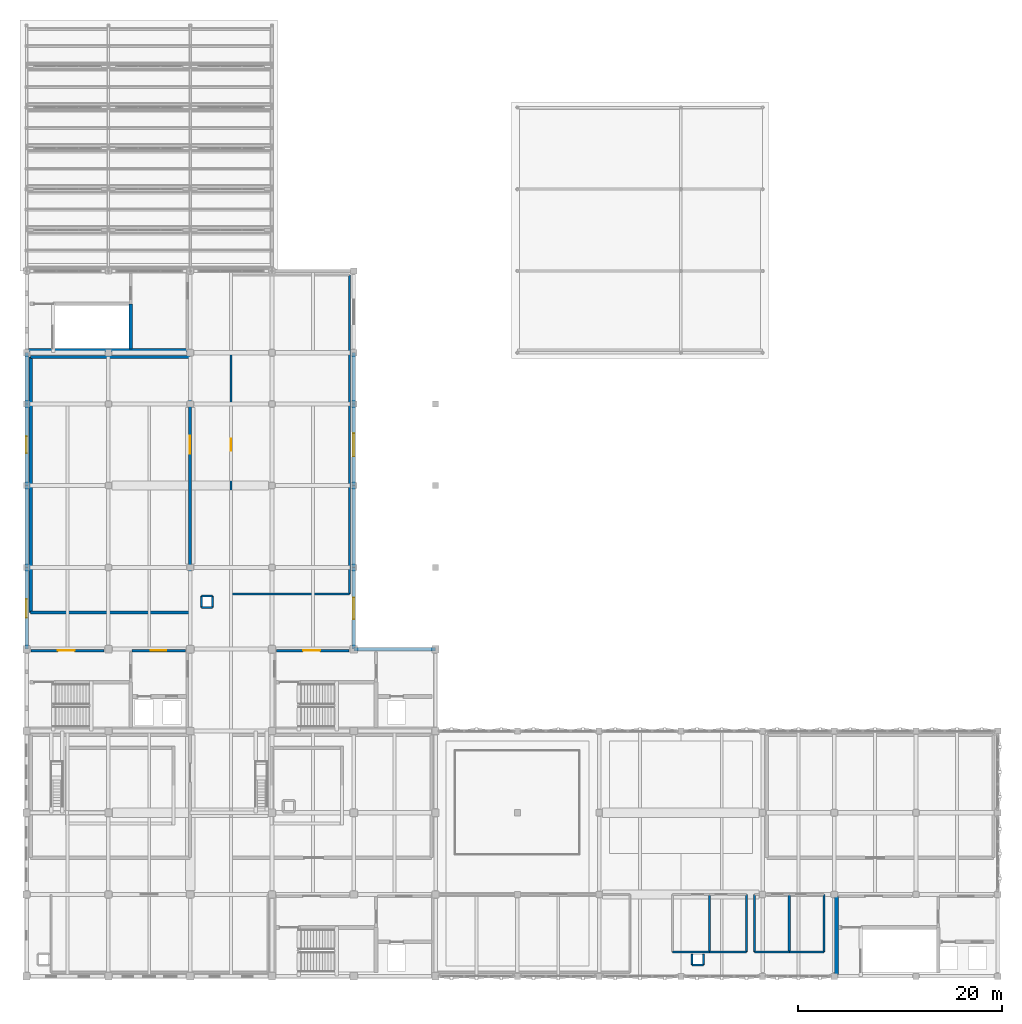
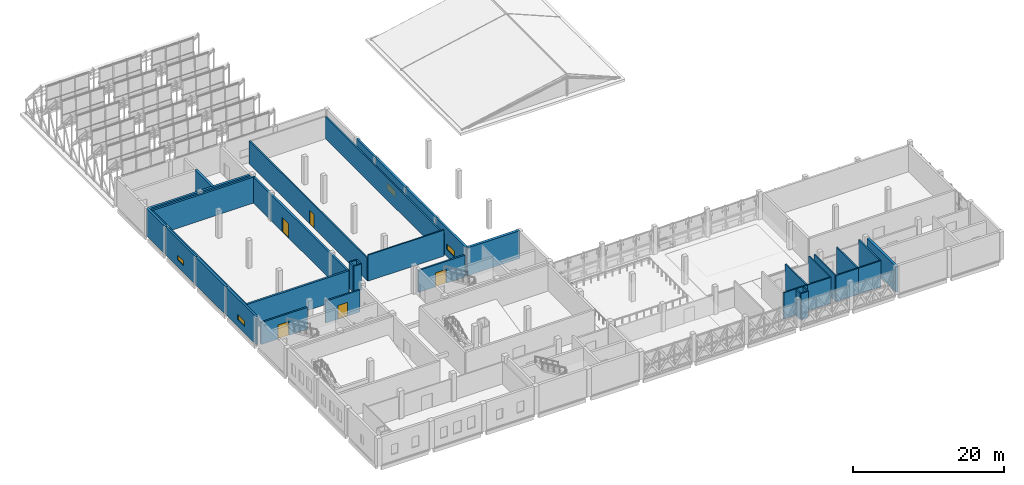
# One storey, part 37 of 43: 38 walls, 5 doors, 4 windows, 9 openings.
"""IFC4 building model written with IfcOpenShell, lengths in metres."""

import ifcopenshell
import ifcopenshell.guid

model = None  # the IFC model being written
_history = None  # IfcOwnerHistory: only IFC2X3 demands one
_inside = {}  # id of a spatial element -> (the spatial element, [elements in it])
_under = {}  # id of a project, library or spatial element -> (it, [spatial elements below it])
_declared = {}  # id of a project -> (the project, [libraries it declares])
_typed = {}  # id of a type object -> (the type object, [elements of that type])
_made_of = {}  # id of a material, layer set ... -> (it, [elements and type objects made of it])


def new_model(schema):
    """Start an empty IFC model of exactly this schema.

    Asked for "IFC4X3", IfcOpenShell would pick the latest addendum, in which some entities
    have other attributes; the version numbers below select the first issue.
    IFC2X3 requires an IfcOwnerHistory on every rooted entity: one is made here for all.
    """
    global model, _history
    if schema == "IFC4X3":
        model = ifcopenshell.file(schema_version=(4, 3, 0, 0))
    else:
        model = ifcopenshell.file(schema=schema)
    _inside.clear()
    _under.clear()
    _declared.clear()
    _typed.clear()
    _made_of.clear()
    _history = None
    if model.schema == "IFC2X3":
        org = make("IfcOrganization", Name="unknown")
        user = make(
            "IfcPersonAndOrganization",
            ThePerson=make("IfcPerson", FamilyName="unknown"),
            TheOrganization=org,
        )
        app = make(
            "IfcApplication",
            ApplicationDeveloper=org,
            Version="unknown",
            ApplicationFullName="unknown",
            ApplicationIdentifier="unknown",
        )
        _history = make(
            "IfcOwnerHistory",
            OwningUser=user,
            OwningApplication=app,
            ChangeAction="ADDED",
            CreationDate=0,
        )
    return model


def make(cls, **values):
    """One entity of the class cls with the attributes given. An attribute that is None is left unset."""
    return model.create_entity(
        cls, **{name: value for name, value in values.items() if value is not None}
    )


def rooted(cls, **values):
    """An entity with a GlobalId (a new one), such as an element, a storey or a relation."""
    return make(cls, GlobalId=ifcopenshell.guid.new(), OwnerHistory=_history, **values)


def si_unit(unit_type, name, prefix=None):
    """IfcSIUnit, for example si_unit("LENGTHUNIT", "METRE", prefix="MILLI")."""
    return make("IfcSIUnit", UnitType=unit_type, Prefix=prefix, Name=name)


def assignment(units):
    """IfcUnitAssignment: the units of a project."""
    return None if units is None else make("IfcUnitAssignment", Units=units)


def point(xyz):
    """IfcCartesianPoint."""
    return None if xyz is None else make("IfcCartesianPoint", Coordinates=xyz)


def direction(xyz):
    """IfcDirection."""
    return None if xyz is None else make("IfcDirection", DirectionRatios=xyz)


def frame(location, z_axis=None, x_axis=None):
    """IfcAxis2Placement3D, a coordinate frame: its origin and axes. An axis left out is left unset."""
    return make(
        "IfcAxis2Placement3D",
        Location=point(location),
        Axis=direction(z_axis),
        RefDirection=direction(x_axis),
    )


def frame_2d(location, x_axis=None):
    """IfcAxis2Placement2D, a coordinate frame in the plane: its origin and x axis."""
    return make(
        "IfcAxis2Placement2D", Location=point(location), RefDirection=direction(x_axis)
    )


def origin():
    """The frame at (0, 0, 0) with its axes left unset."""
    return frame((0.0, 0.0, 0.0))


def place(relative_to, where):
    """IfcLocalPlacement: puts the frame where relative to a parent placement (None: the world)."""
    return make(
        "IfcLocalPlacement", PlacementRelTo=relative_to, RelativePlacement=where
    )


def context(
    kind, dimensions, precision=None, world=None, true_north=None, identifier=None
):
    """IfcGeometricRepresentationContext, for example the 3D "Model" context."""
    return make(
        "IfcGeometricRepresentationContext",
        ContextIdentifier=identifier,
        ContextType=kind,
        CoordinateSpaceDimension=dimensions,
        Precision=precision,
        WorldCoordinateSystem=world,
        TrueNorth=true_north,
    )


def subcontext(parent, identifier, kind, view, scale=None):
    """IfcGeometricRepresentationSubContext, for example "Body" below "Model"."""
    return make(
        "IfcGeometricRepresentationSubContext",
        ContextIdentifier=identifier,
        ContextType=kind,
        ParentContext=parent,
        TargetScale=scale,
        TargetView=view,
    )


def project(units=None, contexts=None):
    """IfcProject with its units and contexts."""
    return rooted(
        "IfcProject",
        Name="project",
        RepresentationContexts=contexts,
        UnitsInContext=assignment(units),
    )


def spatial(cls, under=None, at=None, **own):
    """A site, building, storey or space (cls), placed at a placement, below another one or the project."""
    s = rooted(cls, ObjectPlacement=at, **own)
    if under is not None:
        _under.setdefault(under.id(), (under, []))[1].append(s)
    return s


def profile(cls, at=None, kind="AREA", **sizes):
    """A parametric profile (cls). Its sizes go by their IFC names, for example OverallWidth=200.0."""
    return make(cls, ProfileType=kind, Position=at, **sizes)


def rectangle(**sizes):
    """IfcRectangleProfileDef."""
    return profile("IfcRectangleProfileDef", **sizes)


def extrude(swept, where, along, depth):
    """IfcExtrudedAreaSolid: the profile swept, set in the frame where, extruded along a direction by depth."""
    return make(
        "IfcExtrudedAreaSolid",
        SweptArea=swept,
        Position=where,
        ExtrudedDirection=direction(along),
        Depth=depth,
    )


def shape(context_of_items, identifier, shape_type, items):
    """IfcShapeRepresentation: the items that make up one representation, for example the "Body"."""
    return make(
        "IfcShapeRepresentation",
        ContextOfItems=context_of_items,
        RepresentationIdentifier=identifier,
        RepresentationType=shape_type,
        Items=items,
    )


def material(Name=None, Category=None):
    """IfcMaterial."""
    return make("IfcMaterial", Name=Name, Category=Category)


def layer(
    of_material, thickness, ventilated=None, Name=None, Category=None, Priority=None
):
    """IfcMaterialLayer: one layer of a wall or slab, of a material (None: an air gap)."""
    return make(
        "IfcMaterialLayer",
        Material=of_material,
        LayerThickness=thickness,
        IsVentilated=ventilated,
        Name=Name,
        Category=Category,
        Priority=Priority,
    )


def layer_set(layers, Name=None):
    """IfcMaterialLayerSet."""
    return make("IfcMaterialLayerSet", MaterialLayers=layers, LayerSetName=Name)


def made_of(thing, what):
    """Note that an element or type object is made of a material, layer set ...; save() writes the relation."""
    if what is not None:
        _made_of.setdefault(what.id(), (what, []))[1].append(thing)
    return thing


def type_object(cls, material=None, **own):
    """A type object (cls), such as IfcWallType, which elements share."""
    return made_of(rooted(cls, **own), material)


def element(
    cls,
    number,
    at=None,
    inside=None,
    cuts=None,
    type_object=None,
    material=None,
    context=None,
    identifier="Body",
    shape_type=None,
    held_by="IfcProductDefinitionShape",
    body=None,
    shapes=None,
    **own,
):
    """One element of the class cls, such as IfcWall. Its Tag is "e" and its number.

    at: its placement. inside: the storey or other place that contains it. cuts: it is an
    opening in that element (IfcRelVoidsElement). A single representation is given by context,
    identifier, shape_type and body (its items); several are given by shapes. held_by: the class
    of the entity that holds the representations. save() writes the other relations.
    """
    e = rooted(cls, Tag="e%d" % number, ObjectPlacement=at, **own)
    if body is not None:
        shapes = [shape(context, identifier, shape_type, body)]
    if shapes is not None:
        e.Representation = make(held_by, Representations=shapes)
    if inside is not None:
        _inside.setdefault(inside.id(), (inside, []))[1].append(e)
    if cuts is not None:
        rooted(
            "IfcRelVoidsElement", RelatingBuildingElement=cuts, RelatedOpeningElement=e
        )
    if type_object is not None:
        _typed.setdefault(type_object.id(), (type_object, []))[1].append(e)
    return made_of(e, material)


def fill(opening, filler):
    """IfcRelFillsElement: the door or window that sits in an opening."""
    return rooted(
        "IfcRelFillsElement",
        RelatingOpeningElement=opening,
        RelatedBuildingElement=filler,
    )


def aggregate(whole, parts):
    """IfcRelAggregates: a whole, such as a stair, and the parts it consists of."""
    return rooted("IfcRelAggregates", RelatingObject=whole, RelatedObjects=parts)


def save(model, path):
    """Write the relations noted so far, then the file.

    IfcRelAggregates (storeys below a building ...), IfcRelContainedInSpatialStructure (elements
    in a storey), IfcRelDefinesByType, IfcRelAssociatesMaterial and IfcRelDeclares: one each for
    every whole, place, type object, material and project.
    """
    for whole, parts in _under.values():
        aggregate(whole, parts)
    for where, things in _inside.values():
        rooted(
            "IfcRelContainedInSpatialStructure",
            RelatedElements=things,
            RelatingStructure=where,
        )
    for kind, things in _typed.values():
        rooted("IfcRelDefinesByType", RelatedObjects=things, RelatingType=kind)
    for what, things in _made_of.values():
        rooted("IfcRelAssociatesMaterial", RelatedObjects=things, RelatingMaterial=what)
    for by, libraries in _declared.values():
        rooted("IfcRelDeclares", RelatingContext=by, RelatedDefinitions=libraries)
    model.write(path)


model = new_model("IFC4")

# Units and contexts
model_context = context("Model", 3, precision=1e-05, world=origin(), true_north=direction((0.0, 1.0)))
body_context = subcontext(model_context, "Body", "Model", "MODEL_VIEW")
ifc_project = project(units=[si_unit("LENGTHUNIT", "METRE"), si_unit("AREAUNIT", "SQUARE_METRE"), si_unit("VOLUMEUNIT", "CUBIC_METRE"), si_unit("PLANEANGLEUNIT", "RADIAN"), si_unit("MASSUNIT", "GRAM", prefix="KILO")], contexts=[model_context])

# Site, building, storey
site_placement = place(None, origin())
site = spatial("IfcSite", under=ifc_project, at=site_placement, CompositionType="ELEMENT")
building_placement = place(site_placement, origin())
building = spatial("IfcBuilding", under=site, at=building_placement, Name="Qorikala Patio Media Centre", CompositionType="ELEMENT")
storey_placement = place(building_placement, frame((0.0, 0.0, 18.89990234375)))
storey = spatial("IfcBuildingStorey", under=building, at=storey_placement, Name="L04", CompositionType="ELEMENT", Elevation=18.89990234375)

# Wall
ifc_material_1 = material(Name="Concrete C35/45", Category="concrete")
ifc_layer_1 = layer(ifc_material_1, 0.300048828125)
ifc_layer_set_1 = layer_set([ifc_layer_1], Name="Concrete C35/45")
wall_type_1 = type_object("IfcWallType", Name="WL-AC-300", PredefinedType="SHEAR", material=ifc_layer_set_1)
wall_1_placement = place(storey_placement, frame((3.39990234375, 38.60009765625, 0.0), z_axis=(0.0, 0.0, 1.0), x_axis=(1.0, 0.0, 0.0)))
element("IfcWall", 1, at=wall_1_placement, inside=storey, type_object=wall_type_1, Name="L04 Interior Wall WINT-L04-MIX5-S", PredefinedType="SHEAR", context=body_context, shape_type="SweptSolid", body=[
    extrude(rectangle(XDim=15.60009765625, YDim=0.300048828125, at=frame_2d((7.800048828125, 0.0))), origin(), (0.0, 0.0, 1.0), 4.2001953125),
])

# Wall, opening, door
wall_2_placement = place(storey_placement, frame((19.0, 38.60009765625, 0.0), z_axis=(0.0, 0.0, 1.0), x_axis=(0.0, 1.0, 0.0)))
wall_2 = element("IfcWall", 2, at=wall_2_placement, inside=storey, type_object=wall_type_1, Name="L04 Interior Wall WINT-L04-MIX5-E", PredefinedType="SHEAR", context=body_context, shape_type="SweptSolid", body=[
    extrude(rectangle(XDim=25.0, YDim=0.300048828125, at=frame_2d((12.5, 0.0))), origin(), (0.0, 0.0, 1.0), 4.2001953125),
])
opening_1_placement = place(wall_2_placement, frame((15.533935546875, 0.0, 0.0)))
opening_1 = element("IfcOpeningElement", 3, at=opening_1_placement, cuts=wall_2, Name="Opening D310", PredefinedType="OPENING", context=body_context, shape_type="SweptSolid", body=[
    extrude(rectangle(XDim=1.75, YDim=2.280029296875, at=frame_2d((0.875, 1.14013671875))), frame((0.0, 0.159912109375, 0.0), z_axis=(0.0, -1.0, 0.0), x_axis=(1.0, 0.0, 0.0)), (0.0, 0.0, 1.0), 0.320068359375),
])
ifc_material_2 = material(Name="Powder-Coated Acoustic Fire Steel", Category="steel")
door_type_1 = type_object("IfcDoorType", Name="DR-FD60-175X228", OperationType="DOUBLE_DOOR_SINGLE_SWING", PredefinedType="DOOR", material=ifc_material_2)
door_1_placement = place(opening_1_placement, origin())
door_1 = element("IfcDoor", 4, at=door_1_placement, inside=storey, type_object=door_type_1, Name="Dolby Atmos Dubbing and Soundtrack Mixing Stage Door 099", OperationType="DOUBLE_DOOR_SINGLE_SWING", OverallHeight=2.280029296875, OverallWidth=1.75, PredefinedType="DOOR", context=body_context, shape_type="SweptSolid", body=[
    extrude(rectangle(XDim=1.75, YDim=2.280029296875, at=frame_2d((0.875, 1.14013671875))), frame((0.0, 0.02490234375, 0.0), z_axis=(0.0, -1.0, 0.0), x_axis=(1.0, 0.0, 0.0)), (0.0, 0.0, 1.0), 0.050048828125),
])
fill(opening_1, door_1)

# Walls
wall_3_placement = place(storey_placement, frame((3.39990234375, 63.60009765625, 0.0), z_axis=(0.0, 0.0, 1.0), x_axis=(1.0, 0.0, 0.0)))
element("IfcWall", 5, at=wall_3_placement, inside=storey, type_object=wall_type_1, Name="L04 Interior Wall WINT-L04-MIX5-N", PredefinedType="SHEAR", context=body_context, shape_type="SweptSolid", body=[
    extrude(rectangle(XDim=15.60009765625, YDim=0.300048828125, at=frame_2d((7.800048828125, 0.0))), origin(), (0.0, 0.0, 1.0), 4.2001953125),
])
wall_4_placement = place(storey_placement, frame((3.39990234375, 38.60009765625, 0.0), z_axis=(0.0, 0.0, 1.0), x_axis=(0.0, 1.0, 0.0)))
element("IfcWall", 6, at=wall_4_placement, inside=storey, type_object=wall_type_1, Name="L04 Interior Wall WINT-L04-MIX5-W", PredefinedType="SHEAR", context=body_context, shape_type="SweptSolid", body=[
    extrude(rectangle(XDim=25.0, YDim=0.300048828125, at=frame_2d((12.5, 0.0))), origin(), (0.0, 0.0, 1.0), 4.2001953125),
])
ifc_layer_2 = layer(ifc_material_1, 0.35009765625)
ifc_layer_set_2 = layer_set([ifc_layer_2], Name="Concrete C35/45")
wall_type_2 = type_object("IfcWallType", Name="WL-CORE-350", PredefinedType="SHEAR", material=ifc_layer_set_2)
wall_5_placement = place(storey_placement, frame((3.199951171875, 64.22509765625, 0.0), z_axis=(0.0, 0.0, 1.0), x_axis=(1.0, 0.0, 0.0)))
element("IfcWall", 7, at=wall_5_placement, inside=storey, type_object=wall_type_2, Name="L04 Core C3 Stair South Wall", PredefinedType="SHEAR", context=body_context, shape_type="SweptSolid", body=[
    extrude(rectangle(XDim=15.60009765625, YDim=0.35009765625, at=frame_2d((7.800048828125, 0.0))), origin(), (0.0, 0.0, 1.0), 4.2001953125),
])
wall_6_placement = place(storey_placement, frame((13.175048828125, 64.35009765625, 0.0), z_axis=(0.0, 0.0, 1.0), x_axis=(0.0, 1.0, 0.0)))
element("IfcWall", 8, at=wall_6_placement, inside=storey, type_object=wall_type_2, Name="L04 Interior Wall CW-L04-C3-SE", PredefinedType="SHEAR", context=body_context, shape_type="SweptSolid", body=[
    extrude(rectangle(XDim=4.4248046875, YDim=0.35009765625, at=frame_2d((2.21240234375, 0.0))), origin(), (0.0, 0.0, 1.0), 4.2001953125),
])
wall_7_placement = place(storey_placement, frame((82.22509765625, 3.199951171875, 0.0), z_axis=(0.0, 0.0, 1.0), x_axis=(0.0, 1.0, 0.0)))
element("IfcWall", 9, at=wall_7_placement, inside=storey, type_object=wall_type_2, Name="L04 Interior Wall CW-L04-C4-SW", PredefinedType="SHEAR", context=body_context, shape_type="SweptSolid", body=[
    extrude(rectangle(XDim=7.60009765625, YDim=0.35009765625, at=frame_2d((3.800048828125, 0.0))), origin(), (0.0, 0.0, 1.0), 4.2001953125),
])

# Wall, opening, window
ifc_material_3 = material(Name="Ivory Lime Stucco and Concrete C35/45", Category="concrete")
ifc_layer_3 = layer(ifc_material_3, 0.320068359375)
ifc_layer_set_3 = layer_set([ifc_layer_3], Name="Ivory Lime Stucco and Concrete C35/45")
wall_type_3 = type_object("IfcWallType", Name="WL-EXT-320", PredefinedType="SOLIDWALL", material=ifc_layer_set_3)
wall_8_placement = place(storey_placement, frame((3.0, 35.0, 0.0), z_axis=(0.0, 0.0, 1.0), x_axis=(0.0, 1.0, 0.0)))
wall_8 = element("IfcWall", 10, at=wall_8_placement, inside=storey, type_object=wall_type_3, Name="L04 Exterior Wall WL-L04-EXT-0021", PredefinedType="SOLIDWALL", context=body_context, shape_type="SweptSolid", body=[
    extrude(rectangle(XDim=8.0, YDim=0.320068359375, at=frame_2d((4.0, 0.0))), origin(), (0.0, 0.0, 1.0), 4.5),
])
opening_2_placement = place(wall_8_placement, frame((3.10009765625, 0.0, 1.10009765625)))
opening_2 = element("IfcOpeningElement", 11, at=opening_2_placement, cuts=wall_8, Name="Opening WL-180", PredefinedType="OPENING", context=body_context, shape_type="SweptSolid", body=[
    extrude(rectangle(XDim=1.800048828125, YDim=0.85009765625, at=frame_2d((0.89990234375, 0.425048828125))), frame((0.0, 0.169921875, 0.0), z_axis=(0.0, -1.0, 0.0), x_axis=(1.0, 0.0, 0.0)), (0.0, 0.0, 1.0), 0.340087890625),
])
ifc_material_4 = material(Name="Acoustic Laminated Low-E Glass", Category="glass")
window_type_1 = type_object("IfcWindowType", Name="WN-CL-180X085", PartitioningType="SINGLE_PANEL", PredefinedType="WINDOW", material=ifc_material_4)
window_1_placement = place(opening_2_placement, origin())
window_1 = element("IfcWindow", 12, at=window_1_placement, inside=storey, type_object=window_type_1, Name="L04 High Acoustic Clerestory Window 0230", OverallHeight=0.85009765625, OverallWidth=1.800048828125, PartitioningType="SINGLE_PANEL", PredefinedType="WINDOW", context=body_context, shape_type="SweptSolid", body=[
    extrude(rectangle(XDim=1.800048828125, YDim=0.85009765625, at=frame_2d((0.89990234375, 0.425048828125))), frame((0.0, 0.030029296875, 0.0), z_axis=(0.0, -1.0, 0.0), x_axis=(1.0, 0.0, 0.0)), (0.0, 0.0, 1.0), 0.06005859375),
])
fill(opening_2, window_1)

# Wall
wall_9_placement = place(storey_placement, frame((3.0, 43.0, 0.0), z_axis=(0.0, 0.0, 1.0), x_axis=(0.0, 1.0, 0.0)))
element("IfcWall", 13, at=wall_9_placement, inside=storey, type_object=wall_type_3, Name="L04 Exterior Wall WL-L04-EXT-0022", PredefinedType="SOLIDWALL", context=body_context, shape_type="SweptSolid", body=[
    extrude(rectangle(XDim=8.0, YDim=0.320068359375, at=frame_2d((4.0, 0.0))), origin(), (0.0, 0.0, 1.0), 4.5),
])

# Wall, opening, window
wall_10_placement = place(storey_placement, frame((3.0, 51.0, 0.0), z_axis=(0.0, 0.0, 1.0), x_axis=(0.0, 1.0, 0.0)))
wall_10 = element("IfcWall", 14, at=wall_10_placement, inside=storey, type_object=wall_type_3, Name="L04 Exterior Wall WL-L04-EXT-0023", PredefinedType="SOLIDWALL", context=body_context, shape_type="SweptSolid", body=[
    extrude(rectangle(XDim=8.0, YDim=0.320068359375, at=frame_2d((4.0, 0.0))), origin(), (0.0, 0.0, 1.0), 4.5),
])
opening_3_placement = place(wall_10_placement, frame((3.175048828125, 0.0, 1.10009765625)))
opening_3 = element("IfcOpeningElement", 15, at=opening_3_placement, cuts=wall_10, Name="Opening WL-165", PredefinedType="OPENING", context=body_context, shape_type="SweptSolid", body=[
    extrude(rectangle(XDim=1.64990234375, YDim=0.800048828125, at=frame_2d((0.824951171875, 0.39990234375))), frame((0.0, 0.169921875, 0.0), z_axis=(0.0, -1.0, 0.0), x_axis=(1.0, 0.0, 0.0)), (0.0, 0.0, 1.0), 0.340087890625),
])
window_type_2 = type_object("IfcWindowType", Name="WN-CL-165X080", PartitioningType="SINGLE_PANEL", PredefinedType="WINDOW", material=ifc_material_4)
window_2_placement = place(opening_3_placement, origin())
window_2 = element("IfcWindow", 16, at=window_2_placement, inside=storey, type_object=window_type_2, Name="L04 High Acoustic Clerestory Window 0231", OverallHeight=0.800048828125, OverallWidth=1.64990234375, PartitioningType="SINGLE_PANEL", PredefinedType="WINDOW", context=body_context, shape_type="SweptSolid", body=[
    extrude(rectangle(XDim=1.64990234375, YDim=0.800048828125, at=frame_2d((0.824951171875, 0.39990234375))), frame((0.0, 0.030029296875, 0.0), z_axis=(0.0, -1.0, 0.0), x_axis=(1.0, 0.0, 0.0)), (0.0, 0.0, 1.0), 0.06005859375),
])
fill(opening_3, window_2)

# Walls
for number, where, z_axis, x_axis, name in (
    (17, (3.0, 59.0, 0.0), (0.0, 0.0, 1.0), (0.0, 1.0, 0.0), "L04 Exterior Wall WL-L04-EXT-0024"),
    (18, (35.0, 64.0, 0.0), (0.0, 0.0, 1.0), (0.0, -1.0, 0.0), "L04 Exterior Wall WL-L04-EXT-0031"),
):
    element("IfcWall", number, at=place(storey_placement, frame(where, z_axis=z_axis, x_axis=x_axis)), inside=storey, type_object=wall_type_3, Name=name, PredefinedType="SOLIDWALL", context=body_context, shape_type="SweptSolid", body=[
        extrude(rectangle(XDim=5.0, YDim=0.320068359375, at=frame_2d((2.5, 0.0))), origin(), (0.0, 0.0, 1.0), 4.5),
    ])

# Wall, opening, window
wall_11_placement = place(storey_placement, frame((35.0, 59.0, 0.0), z_axis=(0.0, 0.0, 1.0), x_axis=(0.0, -1.0, 0.0)))
wall_11 = element("IfcWall", 19, at=wall_11_placement, inside=storey, type_object=wall_type_3, Name="L04 Exterior Wall WL-L04-EXT-0032", PredefinedType="SOLIDWALL", context=body_context, shape_type="SweptSolid", body=[
    extrude(rectangle(XDim=8.0, YDim=0.320068359375, at=frame_2d((4.0, 0.0))), origin(), (0.0, 0.0, 1.0), 4.5),
])
opening_4_placement = place(wall_11_placement, frame((2.875, 0.0, 1.10009765625)))
opening_4 = element("IfcOpeningElement", 20, at=opening_4_placement, cuts=wall_11, Name="Opening WL-225", PredefinedType="OPENING", context=body_context, shape_type="SweptSolid", body=[
    extrude(rectangle(XDim=2.25, YDim=1.02001953125, at=frame_2d((1.125, 0.510009765625))), frame((0.0, 0.169921875, 0.0), z_axis=(0.0, -1.0, 0.0), x_axis=(1.0, 0.0, 0.0)), (0.0, 0.0, 1.0), 0.340087890625),
])
window_type_3 = type_object("IfcWindowType", Name="WN-CL-225X102", PartitioningType="SINGLE_PANEL", PredefinedType="WINDOW", material=ifc_material_4)
window_3_placement = place(opening_4_placement, origin())
window_3 = element("IfcWindow", 21, at=window_3_placement, inside=storey, type_object=window_type_3, Name="L04 High Acoustic Clerestory Window 0234", OverallHeight=1.02001953125, OverallWidth=2.25, PartitioningType="SINGLE_PANEL", PredefinedType="WINDOW", context=body_context, shape_type="SweptSolid", body=[
    extrude(rectangle(XDim=2.25, YDim=1.02001953125, at=frame_2d((1.125, 0.510009765625))), frame((0.0, 0.030029296875, 0.0), z_axis=(0.0, -1.0, 0.0), x_axis=(1.0, 0.0, 0.0)), (0.0, 0.0, 1.0), 0.06005859375),
])
fill(opening_4, window_3)

# Wall
wall_12_placement = place(storey_placement, frame((35.0, 51.0, 0.0), z_axis=(0.0, 0.0, 1.0), x_axis=(0.0, -1.0, 0.0)))
element("IfcWall", 22, at=wall_12_placement, inside=storey, type_object=wall_type_3, Name="L04 Exterior Wall WL-L04-EXT-0033", PredefinedType="SOLIDWALL", context=body_context, shape_type="SweptSolid", body=[
    extrude(rectangle(XDim=8.0, YDim=0.320068359375, at=frame_2d((4.0, 0.0))), origin(), (0.0, 0.0, 1.0), 4.5),
])

# Wall, opening, window
wall_13_placement = place(storey_placement, frame((35.0, 43.0, 0.0), z_axis=(0.0, 0.0, 1.0), x_axis=(0.0, -1.0, 0.0)))
wall_13 = element("IfcWall", 23, at=wall_13_placement, inside=storey, type_object=wall_type_3, Name="L04 Exterior Wall WL-L04-EXT-0034", PredefinedType="SOLIDWALL", context=body_context, shape_type="SweptSolid", body=[
    extrude(rectangle(XDim=8.0, YDim=0.320068359375, at=frame_2d((4.0, 0.0))), origin(), (0.0, 0.0, 1.0), 4.5),
])
opening_5_placement = place(wall_13_placement, frame((2.949951171875, 0.0, 1.10009765625)))
opening_5 = element("IfcOpeningElement", 24, at=opening_5_placement, cuts=wall_13, Name="Opening WL-210", PredefinedType="OPENING", context=body_context, shape_type="SweptSolid", body=[
    extrude(rectangle(XDim=2.10009765625, YDim=0.949951171875, at=frame_2d((1.050048828125, 0.47509765625))), frame((0.0, 0.169921875, 0.0), z_axis=(0.0, -1.0, 0.0), x_axis=(1.0, 0.0, 0.0)), (0.0, 0.0, 1.0), 0.340087890625),
])
window_type_4 = type_object("IfcWindowType", Name="WN-CL-210X095", PartitioningType="SINGLE_PANEL", PredefinedType="WINDOW", material=ifc_material_4)
window_4_placement = place(opening_5_placement, origin())
window_4 = element("IfcWindow", 25, at=window_4_placement, inside=storey, type_object=window_type_4, Name="L04 High Acoustic Clerestory Window 0235", OverallHeight=0.949951171875, OverallWidth=2.10009765625, PartitioningType="SINGLE_PANEL", PredefinedType="WINDOW", context=body_context, shape_type="SweptSolid", body=[
    extrude(rectangle(XDim=2.10009765625, YDim=0.949951171875, at=frame_2d((1.050048828125, 0.47509765625))), frame((0.0, 0.030029296875, 0.0), z_axis=(0.0, -1.0, 0.0), x_axis=(1.0, 0.0, 0.0)), (0.0, 0.0, 1.0), 0.06005859375),
])
fill(opening_5, window_4)

# Wall, opening, door
ifc_layer_4 = layer(ifc_material_1, 0.25)
ifc_layer_set_4 = layer_set([ifc_layer_4], Name="Concrete C35/45")
wall_type_4 = type_object("IfcWallType", Name="WL-FFL-250", PredefinedType="PARTITIONING", material=ifc_layer_set_4)
wall_14_placement = place(storey_placement, frame((3.449951171875, 34.85009765625, 0.0), z_axis=(0.0, 0.0, 1.0), x_axis=(1.0, 0.0, 0.0)))
wall_14 = element("IfcWall", 26, at=wall_14_placement, inside=storey, type_object=wall_type_4, Name="L04 Interior Wall CW-L04-C2-CN1", PredefinedType="PARTITIONING", context=body_context, shape_type="SweptSolid", body=[
    extrude(rectangle(XDim=7.10009765625, YDim=0.25, at=frame_2d((3.550048828125, 0.0))), origin(), (0.0, 0.0, 1.0), 3.53515625),
])
opening_6_placement = place(wall_14_placement, frame((2.60009765625, 0.0, 0.0)))
opening_6 = element("IfcOpeningElement", 27, at=opening_6_placement, cuts=wall_14, Name="Opening D082", PredefinedType="OPENING", context=body_context, shape_type="SweptSolid", body=[
    extrude(rectangle(XDim=1.64990234375, YDim=2.25, at=frame_2d((0.824951171875, 1.125))), frame((0.0, 0.135009765625, 0.0), z_axis=(0.0, -1.0, 0.0), x_axis=(1.0, 0.0, 0.0)), (0.0, 0.0, 1.0), 0.27001953125),
])
door_type_2 = type_object("IfcDoorType", Name="DR-FD60-165X225", OperationType="DOUBLE_DOOR_SINGLE_SWING", PredefinedType="DOOR", material=ifc_material_2)
door_2_placement = place(opening_6_placement, frame((1.64990234375, 0.0, 0.0), z_axis=(0.0, 0.0, 1.0), x_axis=(-1.0, 0.0, 0.0)))
door_2 = element("IfcDoor", 28, at=door_2_placement, inside=storey, type_object=door_type_2, Name="L04 Core C2 Vestibule Door", OperationType="DOUBLE_DOOR_SINGLE_SWING", OverallHeight=2.25, OverallWidth=1.64990234375, PredefinedType="DOOR", context=body_context, shape_type="SweptSolid", body=[
    extrude(rectangle(XDim=1.64990234375, YDim=2.25, at=frame_2d((0.824951171875, 1.125))), frame((0.0, 0.02490234375, 0.0), z_axis=(0.0, -1.0, 0.0), x_axis=(1.0, 0.0, 0.0)), (0.0, 0.0, 1.0), 0.050048828125),
])
fill(opening_6, door_2)

wall_15_placement = place(storey_placement, frame((13.300048828125, 34.85009765625, 0.0), z_axis=(0.0, 0.0, 1.0), x_axis=(1.0, 0.0, 0.0)))
wall_15 = element("IfcWall", 29, at=wall_15_placement, inside=storey, type_object=wall_type_4, Name="L04 Interior Wall CW-L04-C2-CN2", PredefinedType="PARTITIONING", context=body_context, shape_type="SweptSolid", body=[
    extrude(rectangle(XDim=5.25, YDim=0.25, at=frame_2d((2.625, 0.0))), origin(), (0.0, 0.0, 1.0), 3.53515625),
])
opening_7_placement = place(wall_15_placement, frame((1.85009765625, 0.0, 0.0)))
opening_7 = element("IfcOpeningElement", 30, at=opening_7_placement, cuts=wall_15, Name="Opening D083", PredefinedType="OPENING", context=body_context, shape_type="SweptSolid", body=[
    extrude(rectangle(XDim=1.5, YDim=2.199951171875, at=frame_2d((0.75, 1.10009765625))), frame((0.0, 0.135009765625, 0.0), z_axis=(0.0, -1.0, 0.0), x_axis=(1.0, 0.0, 0.0)), (0.0, 0.0, 1.0), 0.27001953125),
])
door_type_3 = type_object("IfcDoorType", Name="DR-FD60-150X220", OperationType="DOUBLE_DOOR_SINGLE_SWING", PredefinedType="DOOR", material=ifc_material_2)
door_3_placement = place(opening_7_placement, origin())
door_3 = element("IfcDoor", 31, at=door_3_placement, inside=storey, type_object=door_type_3, Name="L04 Core C2 Firefighting Lobby Door", OperationType="DOUBLE_DOOR_SINGLE_SWING", OverallHeight=2.199951171875, OverallWidth=1.5, PredefinedType="DOOR", context=body_context, shape_type="SweptSolid", body=[
    extrude(rectangle(XDim=1.5, YDim=2.199951171875, at=frame_2d((0.75, 1.10009765625))), frame((0.0, 0.02490234375, 0.0), z_axis=(0.0, -1.0, 0.0), x_axis=(1.0, 0.0, 0.0)), (0.0, 0.0, 1.0), 0.050048828125),
])
fill(opening_7, door_3)

wall_16_placement = place(storey_placement, frame((27.449951171875, 34.85009765625, 0.0), z_axis=(0.0, 0.0, 1.0), x_axis=(1.0, 0.0, 0.0)))
wall_16 = element("IfcWall", 32, at=wall_16_placement, inside=storey, type_object=wall_type_4, Name="L04 Interior Wall CW-L04-C5-CN1", PredefinedType="PARTITIONING", context=body_context, shape_type="SweptSolid", body=[
    extrude(rectangle(XDim=7.10009765625, YDim=0.25, at=frame_2d((3.550048828125, 0.0))), origin(), (0.0, 0.0, 1.0), 3.53515625),
])
opening_8_placement = place(wall_16_placement, frame((2.60009765625, 0.0, 0.0)))
opening_8 = element("IfcOpeningElement", 33, at=opening_8_placement, cuts=wall_16, Name="Opening D165", PredefinedType="OPENING", context=body_context, shape_type="SweptSolid", body=[
    extrude(rectangle(XDim=1.64990234375, YDim=2.25, at=frame_2d((0.824951171875, 1.125))), frame((0.0, 0.135009765625, 0.0), z_axis=(0.0, -1.0, 0.0), x_axis=(1.0, 0.0, 0.0)), (0.0, 0.0, 1.0), 0.27001953125),
])
door_4_placement = place(opening_8_placement, frame((1.64990234375, 0.0, 0.0), z_axis=(0.0, 0.0, 1.0), x_axis=(-1.0, 0.0, 0.0)))
door_4 = element("IfcDoor", 34, at=door_4_placement, inside=storey, type_object=door_type_2, Name="L04 Core C5 Vestibule Door", OperationType="DOUBLE_DOOR_SINGLE_SWING", OverallHeight=2.25, OverallWidth=1.64990234375, PredefinedType="DOOR", context=body_context, shape_type="SweptSolid", body=[
    extrude(rectangle(XDim=1.64990234375, YDim=2.25, at=frame_2d((0.824951171875, 1.125))), frame((0.0, 0.02490234375, 0.0), z_axis=(0.0, -1.0, 0.0), x_axis=(1.0, 0.0, 0.0)), (0.0, 0.0, 1.0), 0.050048828125),
])
fill(opening_8, door_4)

# Walls
ifc_material_5 = material(Name="Acoustic Masonry and Plaster Concrete C30/37", Category="masonry")
ifc_layer_5 = layer(ifc_material_5, 0.199951171875)
ifc_layer_set_5 = layer_set([ifc_layer_5], Name="Acoustic Masonry and Plaster Concrete C30/37")
wall_type_5 = type_object("IfcWallType", Name="WL-ST-200", PredefinedType="PARTITIONING", material=ifc_layer_set_5)
wall_17_placement = place(storey_placement, frame((66.199951171875, 5.39990234375, 0.0), z_axis=(0.0, 0.0, 1.0), x_axis=(1.0, 0.0, 0.0)))
element("IfcWall", 35, at=wall_17_placement, inside=storey, type_object=wall_type_5, Name="L04 Interior Wall WINT-L04-L4WMWC-S", PredefinedType="PARTITIONING", context=body_context, shape_type="SweptSolid", body=[
    extrude(rectangle(XDim=3.60009765625, YDim=0.199951171875, at=frame_2d((1.800048828125, 0.0))), origin(), (0.0, 0.0, 1.0), 4.2001953125),
])
wall_18_placement = place(storey_placement, frame((69.800048828125, 5.39990234375, 0.0), z_axis=(0.0, 0.0, 1.0), x_axis=(0.0, 1.0, 0.0)))
element("IfcWall", 36, at=wall_18_placement, inside=storey, type_object=wall_type_5, Name="L04 Interior Wall WINT-L04-L4WMWC-E", PredefinedType="PARTITIONING", context=body_context, shape_type="SweptSolid", body=[
    extrude(rectangle(XDim=5.60009765625, YDim=0.199951171875, at=frame_2d((2.800048828125, 0.0))), origin(), (0.0, 0.0, 1.0), 4.2001953125),
])
wall_19_placement = place(storey_placement, frame((69.800048828125, 5.39990234375, 0.0), z_axis=(0.0, 0.0, 1.0), x_axis=(1.0, 0.0, 0.0)))
element("IfcWall", 37, at=wall_19_placement, inside=storey, type_object=wall_type_5, Name="L04 Interior Wall WINT-L04-L4WFWC-S", PredefinedType="PARTITIONING", context=body_context, shape_type="SweptSolid", body=[
    extrude(rectangle(XDim=3.599853515625, YDim=0.199951171875, at=frame_2d((1.7998046875, 0.0))), origin(), (0.0, 0.0, 1.0), 4.2001953125),
])
wall_20_placement = place(storey_placement, frame((73.39990234375, 5.39990234375, 0.0), z_axis=(0.0, 0.0, 1.0), x_axis=(0.0, 1.0, 0.0)))
element("IfcWall", 38, at=wall_20_placement, inside=storey, type_object=wall_type_5, Name="L04 Interior Wall WINT-L04-L4WFWC-E", PredefinedType="PARTITIONING", context=body_context, shape_type="SweptSolid", body=[
    extrude(rectangle(XDim=5.60009765625, YDim=0.199951171875, at=frame_2d((2.800048828125, 0.0))), origin(), (0.0, 0.0, 1.0), 4.2001953125),
])
wall_21_placement = place(storey_placement, frame((74.199951171875, 5.39990234375, 0.0), z_axis=(0.0, 0.0, 1.0), x_axis=(1.0, 0.0, 0.0)))
element("IfcWall", 39, at=wall_21_placement, inside=storey, type_object=wall_type_5, Name="L04 Interior Wall WINT-L04-L4WAWC-S", PredefinedType="PARTITIONING", context=body_context, shape_type="SweptSolid", body=[
    extrude(rectangle(XDim=3.400146484375, YDim=0.199951171875, at=frame_2d((1.7001953125, 0.0))), origin(), (0.0, 0.0, 1.0), 4.2001953125),
])
for number, where, z_axis, x_axis, name in (
    (40, (77.60009765625, 5.39990234375, 0.0), (0.0, 0.0, 1.0), (0.0, 1.0, 0.0), "L04 Interior Wall WINT-L04-L4WAWC-E"),
    (41, (74.199951171875, 5.39990234375, 0.0), (0.0, 0.0, 1.0), (0.0, 1.0, 0.0), "L04 Interior Wall WINT-L04-L4WAWC-W"),
):
    element("IfcWall", number, at=place(storey_placement, frame(where, z_axis=z_axis, x_axis=x_axis)), inside=storey, type_object=wall_type_5, Name=name, PredefinedType="PARTITIONING", context=body_context, shape_type="SweptSolid", body=[
        extrude(rectangle(XDim=5.60009765625, YDim=0.199951171875, at=frame_2d((2.800048828125, 0.0))), origin(), (0.0, 0.0, 1.0), 4.2001953125),
    ])
wall_22_placement = place(storey_placement, frame((77.60009765625, 5.39990234375, 0.0), z_axis=(0.0, 0.0, 1.0), x_axis=(1.0, 0.0, 0.0)))
element("IfcWall", 42, at=wall_22_placement, inside=storey, type_object=wall_type_5, Name="L04 Interior Wall WINT-L04-L4WSTR-S", PredefinedType="PARTITIONING", context=body_context, shape_type="SweptSolid", body=[
    extrude(rectangle(XDim=3.39990234375, YDim=0.199951171875, at=frame_2d((1.699951171875, 0.0))), origin(), (0.0, 0.0, 1.0), 4.2001953125),
])
wall_23_placement = place(storey_placement, frame((81.0, 5.39990234375, 0.0), z_axis=(0.0, 0.0, 1.0), x_axis=(0.0, 1.0, 0.0)))
element("IfcWall", 43, at=wall_23_placement, inside=storey, type_object=wall_type_5, Name="L04 Interior Wall WINT-L04-L4WSTR-E", PredefinedType="PARTITIONING", context=body_context, shape_type="SweptSolid", body=[
    extrude(rectangle(XDim=5.60009765625, YDim=0.199951171875, at=frame_2d((2.800048828125, 0.0))), origin(), (0.0, 0.0, 1.0), 4.2001953125),
])
wall_24_placement = place(storey_placement, frame((23.0, 40.39990234375, 0.0), z_axis=(0.0, 0.0, 1.0), x_axis=(1.0, 0.0, 0.0)))
element("IfcWall", 44, at=wall_24_placement, inside=storey, type_object=wall_type_5, Name="L04 Interior Wall WINT-L04-CLT4-S", PredefinedType="PARTITIONING", context=body_context, shape_type="SweptSolid", body=[
    extrude(rectangle(XDim=11.60009765625, YDim=0.199951171875, at=frame_2d((5.800048828125, 0.0))), origin(), (0.0, 0.0, 1.0), 4.2001953125),
])
wall_25_placement = place(storey_placement, frame((34.60009765625, 40.39990234375, 0.0), z_axis=(0.0, 0.0, 1.0), x_axis=(0.0, 1.0, 0.0)))
element("IfcWall", 45, at=wall_25_placement, inside=storey, type_object=wall_type_5, Name="L04 Interior Wall WINT-L04-CLT4-E", PredefinedType="PARTITIONING", context=body_context, shape_type="SweptSolid", body=[
    extrude(rectangle(XDim=31.2001953125, YDim=0.199951171875, at=frame_2d((15.60009765625, 0.0))), origin(), (0.0, 0.0, 1.0), 3.585205078125),
])

# Wall, opening, door
wall_26_placement = place(storey_placement, frame((23.0, 40.39990234375, 0.0), z_axis=(0.0, 0.0, 1.0), x_axis=(0.0, 1.0, 0.0)))
wall_26 = element("IfcWall", 46, at=wall_26_placement, inside=storey, type_object=wall_type_5, Name="L04 Interior Wall WINT-L04-CLT4-W", PredefinedType="PARTITIONING", context=body_context, shape_type="SweptSolid", body=[
    extrude(rectangle(XDim=31.2001953125, YDim=0.199951171875, at=frame_2d((15.60009765625, 0.0))), origin(), (0.0, 0.0, 1.0), 3.705078125),
])
opening_9_placement = place(wall_26_placement, frame((13.9970703125, 0.0, 0.0)))
opening_9 = element("IfcOpeningElement", 47, at=opening_9_placement, cuts=wall_26, Name="Opening D311", PredefinedType="OPENING", context=body_context, shape_type="SweptSolid", body=[
    extrude(rectangle(XDim=1.199951171875, YDim=2.199951171875, at=frame_2d((0.60009765625, 1.10009765625))), frame((0.0, 0.10986328125, 0.0), z_axis=(0.0, -1.0, 0.0), x_axis=(1.0, 0.0, 0.0)), (0.0, 0.0, 1.0), 0.219970703125),
])
ifc_material_6 = material(Name="Acoustic Fire Timber and Steel", Category="steel")
door_type_4 = type_object("IfcDoorType", Name="DR-FD60-120X220", OperationType="NOTDEFINED", PredefinedType="DOOR", material=ifc_material_6)
door_5_placement = place(opening_9_placement, origin())
door_5 = element("IfcDoor", 48, at=door_5_placement, inside=storey, type_object=door_type_4, Name="HDR Colour Timing Suite 402 Door 100", OperationType="SINGLE_SWING_RIGHT", OverallHeight=2.199951171875, OverallWidth=1.199951171875, PredefinedType="DOOR", context=body_context, shape_type="SweptSolid", body=[
    extrude(rectangle(XDim=1.199951171875, YDim=2.199951171875, at=frame_2d((0.60009765625, 1.10009765625))), frame((0.0, 0.02490234375, 0.0), z_axis=(0.0, -1.0, 0.0), x_axis=(1.0, 0.0, 0.0)), (0.0, 0.0, 1.0), 0.050048828125),
])
fill(opening_9, door_5)

# Walls
for number, where, z_axis, x_axis, name in (
    (49, (68.10009765625, 4.10009765625, 0.0), (0.0, 0.0, 1.0), (1.0, 0.0, 0.0), "L04 Interior Wall RSW-2-L04-S"),
    (50, (68.10009765625, 4.10009765625, 0.0), (0.0, 0.0, 1.0), (0.0, 1.0, 0.0), "L04 Interior Wall RSW-2-L04-W"),
    (51, (69.199951171875, 4.10009765625, 0.0), (0.0, 0.0, 1.0), (0.0, 1.0, 0.0), "L04 Interior Wall RSW-2-L04-E"),
    (52, (20.10009765625, 39.10009765625, 0.0), (0.0, 0.0, 1.0), (1.0, 0.0, 0.0), "L04 Interior Wall RSW-3-L04-S"),
    (53, (20.10009765625, 40.199951171875, 0.0), (0.0, 0.0, 1.0), (1.0, 0.0, 0.0), "L04 Interior Wall RSW-3-L04-N"),
    (54, (20.10009765625, 39.10009765625, 0.0), (0.0, 0.0, 1.0), (0.0, 1.0, 0.0), "L04 Interior Wall RSW-3-L04-W"),
    (55, (21.199951171875, 39.10009765625, 0.0), (0.0, 0.0, 1.0), (0.0, 1.0, 0.0), "L04 Interior Wall RSW-3-L04-E"),
):
    element("IfcWall", number, at=place(storey_placement, frame(where, z_axis=z_axis, x_axis=x_axis)), inside=storey, type_object=wall_type_5, Name=name, PredefinedType="PARTITIONING", context=body_context, shape_type="SweptSolid", body=[
        extrude(rectangle(XDim=1.099853515625, YDim=0.199951171875, at=frame_2d((0.5498046875, 0.0))), origin(), (0.0, 0.0, 1.0), 4.2001953125),
    ])
ifc_material_7 = material(Name="Comanche Granite and Concrete C35/45", Category="masonry")
ifc_layer_6 = layer(ifc_material_7, 0.3798828125)
ifc_layer_set_6 = layer_set([ifc_layer_6], Name="Comanche Granite and Concrete C35/45")
wall_type_6 = type_object("IfcWallType", Name="WL-STONE-380", PredefinedType="SOLIDWALL", material=ifc_layer_set_6)
wall_27_placement = place(storey_placement, frame((35.0, 35.0, 0.0), z_axis=(0.0, 0.0, 1.0), x_axis=(1.0, 0.0, 0.0)))
element("IfcWall", 56, at=wall_27_placement, inside=storey, type_object=wall_type_6, Name="L04 Core C5 Exterior Shear Wall", PredefinedType="SOLIDWALL", context=body_context, shape_type="SweptSolid", body=[
    extrude(rectangle(XDim=8.0, YDim=0.3798828125, at=frame_2d((4.0, 0.0))), origin(), (0.0, 0.0, 1.0), 4.5),
])

save(model, "model.ifc")
